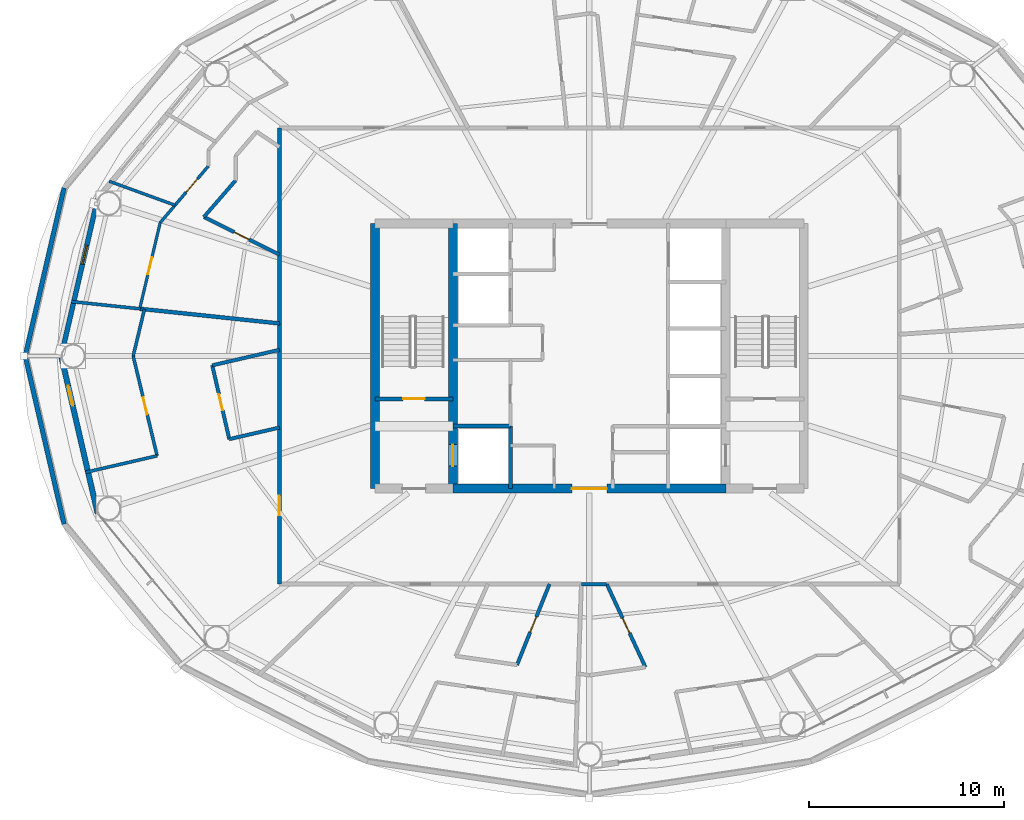
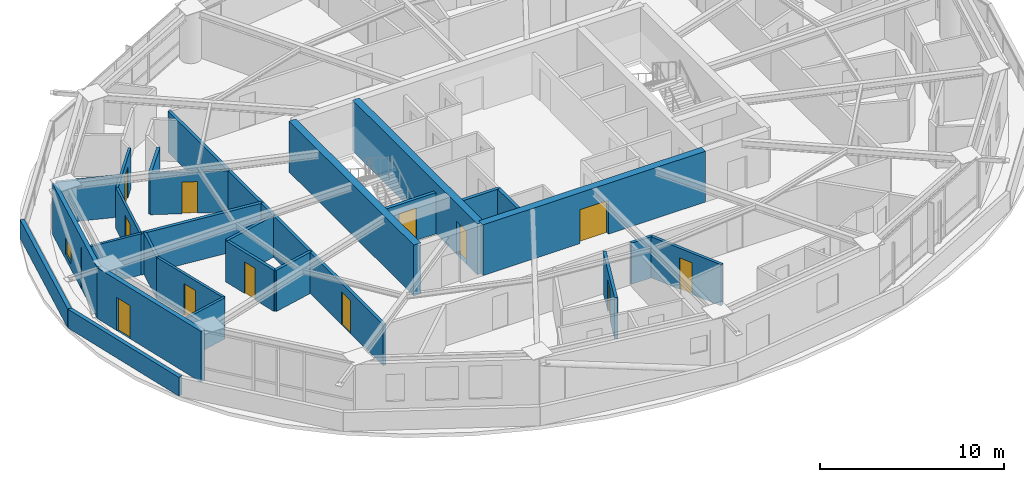
# One storey, part 20 of 27: 28 walls, 12 doors, 1 window, 13 openings.
"""IFC4 building model written with IfcOpenShell, lengths in metres."""

from ifc_helpers import new_model, si_unit, direction, frame, frame_2d, origin, place, context, subcontext, project, spatial, rectangle, extrude, material, layer, layer_set, type_object, element, fill, save


model = new_model("IFC4")

# Units and contexts
model_context = context("Model", 3, precision=1e-05, world=origin(), true_north=direction((0.0, 1.0)))
body_context = subcontext(model_context, "Body", "Model", "MODEL_VIEW")
ifc_project = project(units=[si_unit("LENGTHUNIT", "METRE"), si_unit("AREAUNIT", "SQUARE_METRE"), si_unit("VOLUMEUNIT", "CUBIC_METRE"), si_unit("PLANEANGLEUNIT", "RADIAN"), si_unit("MASSUNIT", "GRAM", prefix="KILO")], contexts=[model_context])

# Site, building, storey
site_placement = place(None, origin())
site = spatial("IfcSite", under=ifc_project, at=site_placement, CompositionType="ELEMENT")
building_placement = place(site_placement, origin())
building = spatial("IfcBuilding", under=site, at=building_placement, Name="Sarneth Arch Tower", CompositionType="ELEMENT")
storey_placement = place(building_placement, frame((0.0, 0.0, 150.60009765625)))
storey = spatial("IfcBuildingStorey", under=building, at=storey_placement, Name="L37", CompositionType="ELEMENT", Elevation=150.60009765625)

# Wall, opening, door
ifc_material_1 = material(Name="Concrete C50/60", Category="concrete")
ifc_layer_1 = layer(ifc_material_1, 0.449951171875)
ifc_layer_set_1 = layer_set([ifc_layer_1], Name="Concrete C50/60")
wall_type_1 = type_object("IfcWallType", Name="WALL-CORE-450", PredefinedType="SHEAR", material=ifc_layer_set_1)
wall_1_placement = place(storey_placement, frame((41.0, 35.199951171875, 0.0), z_axis=(0.0, 0.0, 1.0), x_axis=(1.0, 0.0, 0.0)))
wall_1 = element("IfcWall", 1, at=wall_1_placement, inside=storey, type_object=wall_type_1, Name="L37 Core shear wall S-M", PredefinedType="SHEAR", context=body_context, shape_type="SweptSolid", body=[
    extrude(rectangle(XDim=14.0, YDim=0.449951171875, at=frame_2d((7.0, 0.0))), origin(), (0.0, 0.0, 1.0), 3.3798828125),
])
opening_1_placement = place(wall_1_placement, frame((6.10009765625, 0.0, 0.0)))
opening_1 = element("IfcOpeningElement", 2, at=opening_1_placement, cuts=wall_1, Name="Opening FD-01", PredefinedType="OPENING", context=body_context, shape_type="SweptSolid", body=[
    extrude(rectangle(XDim=1.800048828125, YDim=2.25, at=frame_2d((0.89990234375, 1.125))), frame((0.0, 0.23486328125, 0.0), z_axis=(0.0, -1.0, 0.0), x_axis=(1.0, 0.0, 0.0)), (0.0, 0.0, 1.0), 0.469970703125),
])
ifc_material_2 = material(Name="Galvanised Steel S275 fire door set", Category="steel")
door_type_1 = type_object("IfcDoorType", Name="DR-FD90-1800", OperationType="DOUBLE_DOOR_SINGLE_SWING", PredefinedType="DOOR", material=ifc_material_2)
door_1_placement = place(opening_1_placement, origin())
door_1 = element("IfcDoor", 3, at=door_1_placement, inside=storey, type_object=door_type_1, Name="L37 Central lift lobby south door", OperationType="DOUBLE_DOOR_SINGLE_SWING", OverallHeight=2.25, OverallWidth=1.800048828125, PredefinedType="DOOR", context=body_context, shape_type="SweptSolid", body=[
    extrude(rectangle(XDim=1.800048828125, YDim=2.25, at=frame_2d((0.89990234375, 1.125))), frame((0.0, 0.02490234375, 0.0), z_axis=(0.0, -1.0, 0.0), x_axis=(1.0, 0.0, 0.0)), (0.0, 0.0, 1.0), 0.050048828125),
])
fill(opening_1, door_1)

# Wall
wall_2_placement = place(storey_placement, frame((37.0, 35.199951171875, 0.0), z_axis=(0.0, 0.0, 1.0), x_axis=(0.0, 1.0, 0.0)))
element("IfcWall", 4, at=wall_2_placement, inside=storey, type_object=wall_type_1, Name="L37 Core shear wall W", PredefinedType="SHEAR", context=body_context, shape_type="SweptSolid", body=[
    extrude(rectangle(XDim=13.60009765625, YDim=0.449951171875, at=frame_2d((6.800048828125, 0.0))), origin(), (0.0, 0.0, 1.0), 3.3798828125),
])

# Wall, opening, door
wall_3_placement = place(storey_placement, frame((41.0, 35.199951171875, 0.0), z_axis=(0.0, 0.0, 1.0), x_axis=(0.0, 1.0, 0.0)))
wall_3 = element("IfcWall", 5, at=wall_3_placement, inside=storey, type_object=wall_type_1, Name="L37 Core shear wall WEB-W", PredefinedType="SHEAR", context=body_context, shape_type="SweptSolid", body=[
    extrude(rectangle(XDim=13.60009765625, YDim=0.449951171875, at=frame_2d((6.800048828125, 0.0))), origin(), (0.0, 0.0, 1.0), 3.3798828125),
])
opening_2_placement = place(wall_3_placement, frame((1.14990234375, 0.0, 0.0)))
opening_2 = element("IfcOpeningElement", 6, at=opening_2_placement, cuts=wall_3, Name="Opening LD-1", PredefinedType="OPENING", context=body_context, shape_type="SweptSolid", body=[
    extrude(rectangle(XDim=1.10009765625, YDim=2.199951171875, at=frame_2d((0.550048828125, 1.10009765625))), frame((0.0, 0.23486328125, 0.0), z_axis=(0.0, -1.0, 0.0), x_axis=(1.0, 0.0, 0.0)), (0.0, 0.0, 1.0), 0.469970703125),
])
ifc_material_3 = material(Name="Brushed Stainless Steel 304 lift landing door", Category="steel")
door_type_2 = type_object("IfcDoorType", Name="DR-LIFT-SLIDE-1100", OperationType="SLIDING_TO_LEFT", PredefinedType="DOOR", material=ifc_material_3)
door_2_placement = place(opening_2_placement, origin())
door_2 = element("IfcDoor", 7, at=door_2_placement, inside=storey, type_object=door_type_2, Name="L37 Firefighting lift landing door FL-1", OperationType="SLIDING_TO_LEFT", OverallHeight=2.199951171875, OverallWidth=1.10009765625, PredefinedType="DOOR", context=body_context, shape_type="SweptSolid", body=[
    extrude(rectangle(XDim=1.10009765625, YDim=2.199951171875, at=frame_2d((0.550048828125, 1.10009765625))), frame((0.0, 0.02490234375, 0.0), z_axis=(0.0, -1.0, 0.0), x_axis=(1.0, 0.0, 0.0)), (0.0, 0.0, 1.0), 0.050048828125),
])
fill(opening_2, door_2)

ifc_material_4 = material(Name="Double steel-stud corridor fire wall", Category="steel")
ifc_layer_2 = layer(ifc_material_4, 0.18994140625)
ifc_layer_set_2 = layer_set([ifc_layer_2], Name="Double steel-stud corridor fire wall")
wall_type_2 = type_object("IfcWallType", Name="WALL-CORR-190", PredefinedType="PARTITIONING", material=ifc_layer_set_2)
wall_4_placement = place(storey_placement, frame((32.10009765625, 30.300048828125, 0.0), z_axis=(0.0, 0.0, 1.0), x_axis=(0.0, 1.0, 0.0)))
wall_4 = element("IfcWall", 8, at=wall_4_placement, inside=storey, type_object=wall_type_2, Name="L37 Interior partition W-L37-TP-015", PredefinedType="PARTITIONING", context=body_context, shape_type="SweptSolid", body=[
    extrude(rectangle(XDim=13.4033203125, YDim=0.18994140625, at=frame_2d((6.70166015625, 0.0))), origin(), (0.0, 0.0, 1.0), 2.739990234375),
])
opening_3_placement = place(wall_4_placement, frame((3.531005859375, 0.0, 0.0)))
opening_3 = element("IfcOpeningElement", 9, at=opening_3_placement, cuts=wall_4, Name="Opening FD-08", PredefinedType="OPENING", context=body_context, shape_type="SweptSolid", body=[
    extrude(rectangle(XDim=1.0, YDim=2.199951171875, at=frame_2d((0.5, 1.10009765625))), frame((0.0, 0.10498046875, 0.0), z_axis=(0.0, -1.0, 0.0), x_axis=(1.0, 0.0, 0.0)), (0.0, 0.0, 1.0), 0.2099609375),
])
ifc_material_5 = material(Name="Hardwood timber acoustic fire door", Category="wood")
door_type_3 = type_object("IfcDoorType", Name="DR-FD60-1000", OperationType="SINGLE_SWING_LEFT", PredefinedType="DOOR", material=ifc_material_5)
door_3_placement = place(opening_3_placement, origin())
door_3 = element("IfcDoor", 10, at=door_3_placement, inside=storey, type_object=door_type_3, Name="L37 Interior door DR-L37-U5-ENT", OperationType="SINGLE_SWING_RIGHT", OverallHeight=2.199951171875, OverallWidth=1.0, PredefinedType="DOOR", context=body_context, shape_type="SweptSolid", body=[
    extrude(rectangle(XDim=1.0, YDim=2.199951171875, at=frame_2d((0.5, 1.10009765625))), frame((0.0, 0.02490234375, 0.0), z_axis=(0.0, -1.0, 0.0), x_axis=(1.0, 0.0, 0.0)), (0.0, 0.0, 1.0), 0.050048828125),
])
fill(opening_3, door_3)

# Wall
wall_5_placement = place(storey_placement, frame((32.10009765625, 43.638916015625, 0.0), z_axis=(0.0, 0.0, 1.0), x_axis=(0.0, 1.0, 0.0)))
element("IfcWall", 11, at=wall_5_placement, inside=storey, type_object=wall_type_2, Name="L37 Interior partition W-L37-TP-013", PredefinedType="PARTITIONING", context=body_context, shape_type="SweptSolid", body=[
    extrude(rectangle(XDim=10.06103515625, YDim=0.18994140625, at=frame_2d((5.030517578125, 0.0))), origin(), (0.0, 0.0, 1.0), 2.739990234375),
])

# Wall, opening, window
ifc_material_6 = material(Name="Extruded terracotta rainscreen on Concrete C40/50 backing", Category="masonry")
ifc_layer_3 = layer(ifc_material_6, 0.25)
ifc_layer_set_3 = layer_set([ifc_layer_3], Name="Extruded terracotta rainscreen on Concrete C40/50 backing")
wall_type_3 = type_object("IfcWallType", Name="WALL-EXT-SPAND-250", PredefinedType="SOLIDWALL", material=ifc_layer_set_3)
wall_6_placement = place(storey_placement, frame((22.767578125, 50.06689453125, 0.0), z_axis=(0.0, 0.0, 1.0), x_axis=(-0.225473184558, -0.974249374157, 0.0)))
wall_6 = element("IfcWall", 12, at=wall_6_placement, inside=storey, type_object=wall_type_3, Name="L37 Terracotta perimeter wall 08", PredefinedType="SOLIDWALL", context=body_context, shape_type="SweptSolid", body=[
    extrude(rectangle(XDim=8.280029296875, YDim=0.25, at=frame_2d((4.14013671875, 0.0))), origin(), (0.0, 0.0, 1.0), 3.3798828125),
])
opening_4_placement = place(wall_6_placement, frame((2.447265625, 0.0, 0.35009765625)))
opening_4 = element("IfcOpeningElement", 13, at=opening_4_placement, cuts=wall_6, Name="Opening W-14", PredefinedType="OPENING", context=body_context, shape_type="SweptSolid", body=[
    extrude(rectangle(XDim=1.0, YDim=1.050048828125, at=frame_2d((0.5, 0.52490234375))), frame((0.0, 0.135009765625, 0.0), z_axis=(0.0, -1.0, 0.0), x_axis=(1.0, 0.0, 0.0)), (0.0, 0.0, 1.0), 0.27001953125),
])
ifc_material_7 = material(Name="Thermally broken Aluminium 6063-T6 and low-e laminated IGU", Category="aluminium")
window_type = type_object("IfcWindowType", Name="WIN-TWR-1000x1050", PartitioningType="SINGLE_PANEL", PredefinedType="WINDOW", material=ifc_material_7)
window_placement = place(opening_4_placement, origin())
window = element("IfcWindow", 14, at=window_placement, inside=storey, type_object=window_type, Name="L37 Dwelling bedroom window 02", OverallHeight=1.050048828125, OverallWidth=1.0, PartitioningType="SINGLE_PANEL", PredefinedType="WINDOW", context=body_context, shape_type="SweptSolid", body=[
    extrude(rectangle(XDim=1.0, YDim=1.050048828125, at=frame_2d((0.5, 0.52490234375))), frame((0.0, 0.030029296875, 0.0), z_axis=(0.0, -1.0, 0.0), x_axis=(1.0, 0.0, 0.0)), (0.0, 0.0, 1.0), 0.06005859375),
])
fill(opening_4, window)

# Wall, opening, door
ifc_material_8 = material(Name="Extruded terracotta rainscreen on Concrete C40/50 backing", Category="masonry")
ifc_layer_4 = layer(ifc_material_8, 0.280029296875)
ifc_layer_set_4 = layer_set([ifc_layer_4], Name="Extruded terracotta rainscreen on Concrete C40/50 backing")
wall_type_4 = type_object("IfcWallType", Name="WALL-EXT-TERRA-280", PredefinedType="SOLIDWALL", material=ifc_layer_set_4)
wall_7_placement = place(storey_placement, frame((20.900634765625, 42.0, 0.0), z_axis=(0.0, 0.0, 1.0), x_axis=(0.225473184558, -0.974249374157, 0.0)))
wall_7 = element("IfcWall", 15, at=wall_7_placement, inside=storey, type_object=wall_type_4, Name="L37 Terracotta perimeter wall 09", PredefinedType="SOLIDWALL", context=body_context, shape_type="SweptSolid", body=[
    extrude(rectangle(XDim=8.280029296875, YDim=0.280029296875, at=frame_2d((4.14013671875, 0.0))), origin(), (0.0, 0.0, 1.0), 3.3798828125),
])
opening_5_placement = place(wall_7_placement, frame((1.568115234375, 0.0, 0.0)))
opening_5 = element("IfcOpeningElement", 16, at=opening_5_placement, cuts=wall_7, Name="Opening BD-4", PredefinedType="OPENING", context=body_context, shape_type="SweptSolid", body=[
    extrude(rectangle(XDim=1.050048828125, YDim=2.199951171875, at=frame_2d((0.52490234375, 1.10009765625))), frame((0.0, 0.14990234375, 0.0), z_axis=(0.0, -1.0, 0.0), x_axis=(1.0, 0.0, 0.0)), (0.0, 0.0, 1.0), 0.300048828125),
])
ifc_material_9 = material(Name="Thermally broken Aluminium 6063-T6 and laminated safety glass", Category="aluminium")
door_type_4 = type_object("IfcDoorType", Name="DR-BALC-GLZ-1050", OperationType="SINGLE_SWING_RIGHT", PredefinedType="DOOR", material=ifc_material_9)
door_4_placement = place(opening_5_placement, origin())
door_4 = element("IfcDoor", 17, at=door_4_placement, inside=storey, type_object=door_type_4, Name="L37 Maintenance roof access door 09", OperationType="SINGLE_SWING_RIGHT", OverallHeight=2.199951171875, OverallWidth=1.050048828125, PredefinedType="DOOR", context=body_context, shape_type="SweptSolid", body=[
    extrude(rectangle(XDim=1.050048828125, YDim=2.199951171875, at=frame_2d((0.52490234375, 1.10009765625))), frame((0.0, 0.02490234375, 0.0), z_axis=(0.0, -1.0, 0.0), x_axis=(1.0, 0.0, 0.0)), (0.0, 0.0, 1.0), 0.050048828125),
])
fill(opening_5, door_4)

# Walls
ifc_material_10 = material(Name="Extruded terracotta rainscreen on Concrete C40/50 backing", Category="masonry")
ifc_layer_5 = layer(ifc_material_10, 0.239990234375)
ifc_layer_set_5 = layer_set([ifc_layer_5], Name="Extruded terracotta rainscreen on Concrete C40/50 backing")
wall_type_5 = type_object("IfcWallType", Name="WALL-PARAPET-240", PredefinedType="PARAPET", material=ifc_layer_set_5)
for number, where, z_axis, x_axis, name in (
    (18, (21.048095703125, 50.621826171875, 0.0), (0.0, 0.0, 1.0), (-0.225341034137, -0.974279948646, 0.0), "L37 Setback roof parapet 08"),
    (19, (19.053955078125, 42.0, 0.0), (0.0, 0.0, 1.0), (0.225341034137, -0.974279948646, 0.0), "L37 Setback roof parapet 09"),
):
    element("IfcWall", number, at=place(storey_placement, frame(where, z_axis=z_axis, x_axis=x_axis)), inside=storey, type_object=wall_type_5, Name=name, PredefinedType="PARAPET", context=body_context, shape_type="SweptSolid", body=[
        extrude(rectangle(XDim=8.849365234375, YDim=0.239990234375, at=frame_2d((4.4248046875, 0.0))), origin(), (0.0, 0.0, 1.0), 1.25),
    ])

# Wall, opening, door
ifc_material_11 = material(Name="Apartment internal stud partition", Category="gypsum")
ifc_layer_6 = layer(ifc_material_11, 0.139892578125)
ifc_layer_set_6 = layer_set([ifc_layer_6], Name="Apartment internal stud partition")
wall_type_6 = type_object("IfcWallType", Name="WALL-PART-140", PredefinedType="PARTITIONING", material=ifc_layer_set_6)
wall_8_placement = place(storey_placement, frame((24.9287109375, 44.4248046875, 0.0), z_axis=(0.0, 0.0, 1.0), x_axis=(0.23166656053, 0.972795253243, 0.0)))
wall_8 = element("IfcWall", 20, at=wall_8_placement, inside=storey, type_object=wall_type_6, Name="L37 Interior partition W-L37-TP-063", PredefinedType="PARTITIONING", context=body_context, shape_type="SweptSolid", body=[
    extrude(rectangle(XDim=4.541015625, YDim=0.139892578125, at=frame_2d((2.2705078125, 0.0))), origin(), (0.0, 0.0, 1.0), 2.739990234375),
])
opening_6_placement = place(wall_8_placement, frame((1.820556640625, 0.0, 0.0)))
opening_6 = element("IfcOpeningElement", 21, at=opening_6_placement, cuts=wall_8, Name="Opening ID-01", PredefinedType="OPENING", context=body_context, shape_type="SweptSolid", body=[
    extrude(rectangle(XDim=0.89990234375, YDim=2.10009765625, at=frame_2d((0.449951171875, 1.050048828125))), frame((0.0, 0.079833984375, 0.0), z_axis=(0.0, -1.0, 0.0), x_axis=(1.0, 0.0, 0.0)), (0.0, 0.0, 1.0), 0.159912109375),
])
ifc_material_12 = material(Name="Engineered hardwood flush door", Category="wood")
door_type_5 = type_object("IfcDoorType", Name="DR-INT-900", OperationType="SINGLE_SWING_LEFT", PredefinedType="DOOR", material=ifc_material_12)
door_5_placement = place(opening_6_placement, origin())
door_5 = element("IfcDoor", 22, at=door_5_placement, inside=storey, type_object=door_type_5, Name="L37 Interior door DR-L37-U4-BED2", OperationType="SINGLE_SWING_LEFT", OverallHeight=2.10009765625, OverallWidth=0.89990234375, PredefinedType="DOOR", context=body_context, shape_type="SweptSolid", body=[
    extrude(rectangle(XDim=0.89990234375, YDim=2.10009765625, at=frame_2d((0.449951171875, 1.050048828125))), frame((0.0, 0.02490234375, 0.0), z_axis=(0.0, -1.0, 0.0), x_axis=(1.0, 0.0, 0.0)), (0.0, 0.0, 1.0), 0.050048828125),
])
fill(opening_6, door_5)

# Wall
ifc_material_13 = material(Name="Acoustic gypsum stud partition", Category="gypsum")
ifc_layer_7 = layer(ifc_material_13, 0.14990234375)
ifc_layer_set_7 = layer_set([ifc_layer_7], Name="Acoustic gypsum stud partition")
wall_type_7 = type_object("IfcWallType", Name="WALL-PART-150", PredefinedType="PARTITIONING", material=ifc_layer_set_7)
wall_9_placement = place(storey_placement, frame((26.741943359375, 49.7373046875, 0.0), z_axis=(0.0, 0.0, 1.0), x_axis=(-0.939702146374, 0.341993970854, 0.0)))
element("IfcWall", 23, at=wall_9_placement, inside=storey, type_object=wall_type_7, Name="L37 Interior partition W-L37-TP-068", PredefinedType="PARTITIONING", context=body_context, shape_type="SweptSolid", body=[
    extrude(rectangle(XDim=3.59375, YDim=0.14990234375, at=frame_2d((1.796875, 0.0))), origin(), (0.0, 0.0, 1.0), 2.739990234375),
])

# Wall, opening, door
wall_10_placement = place(storey_placement, frame((28.449951171875, 51.744384765625, 0.0), z_axis=(0.0, 0.0, 1.0), x_axis=(-0.648090958091, -0.761562938988, 0.0)))
wall_10 = element("IfcWall", 24, at=wall_10_placement, inside=storey, type_object=wall_type_7, Name="L37 Interior partition W-L37-TP-062", PredefinedType="PARTITIONING", context=body_context, shape_type="SweptSolid", body=[
    extrude(rectangle(XDim=3.810302734375, YDim=0.14990234375, at=frame_2d((1.9052734375, 0.0))), origin(), (0.0, 0.0, 1.0), 2.739990234375),
])
opening_7_placement = place(wall_10_placement, frame((0.86767578125, 0.0, 0.0)))
opening_7 = element("IfcOpeningElement", 25, at=opening_7_placement, cuts=wall_10, Name="Opening ID-01", PredefinedType="OPENING", context=body_context, shape_type="SweptSolid", body=[
    extrude(rectangle(XDim=0.89990234375, YDim=2.10009765625, at=frame_2d((0.449951171875, 1.050048828125))), frame((0.0, 0.0849609375, 0.0), z_axis=(0.0, -1.0, 0.0), x_axis=(1.0, 0.0, 0.0)), (0.0, 0.0, 1.0), 0.169921875),
])
door_6_placement = place(opening_7_placement, origin())
door_6 = element("IfcDoor", 26, at=door_6_placement, inside=storey, type_object=door_type_5, Name="L37 Interior door DR-L37-U4-BED1", OperationType="SINGLE_SWING_RIGHT", OverallHeight=2.10009765625, OverallWidth=0.89990234375, PredefinedType="DOOR", context=body_context, shape_type="SweptSolid", body=[
    extrude(rectangle(XDim=0.89990234375, YDim=2.10009765625, at=frame_2d((0.449951171875, 1.050048828125))), frame((0.0, 0.02490234375, 0.0), z_axis=(0.0, -1.0, 0.0), x_axis=(1.0, 0.0, 0.0)), (0.0, 0.0, 1.0), 0.050048828125),
])
fill(opening_7, door_6)

ifc_material_14 = material(Name="Kitchen wet service chase wall", Category="gypsum")
ifc_layer_8 = layer(ifc_material_14, 0.159912109375)
ifc_layer_set_8 = layer_set([ifc_layer_8], Name="Kitchen wet service chase wall")
wall_type_8 = type_object("IfcWallType", Name="WALL-PLUMB-160", PredefinedType="PLUMBINGWALL", material=ifc_layer_set_8)
wall_11_placement = place(storey_placement, frame((24.59423828125, 42.0, 0.0), z_axis=(0.0, 0.0, 1.0), x_axis=(0.233087094169, -0.972455863539, 0.0)))
wall_11 = element("IfcWall", 27, at=wall_11_placement, inside=storey, type_object=wall_type_8, Name="L37 Interior partition W-L37-TP-074", PredefinedType="PLUMBINGWALL", context=body_context, shape_type="SweptSolid", body=[
    extrude(rectangle(XDim=5.265380859375, YDim=0.159912109375, at=frame_2d((2.6328125, 0.0))), origin(), (0.0, 0.0, 1.0), 2.739990234375),
])
opening_8_placement = place(wall_11_placement, frame((2.1826171875, 0.0, 0.0)))
opening_8 = element("IfcOpeningElement", 28, at=opening_8_placement, cuts=wall_11, Name="Opening ID-01", PredefinedType="OPENING", context=body_context, shape_type="SweptSolid", body=[
    extrude(rectangle(XDim=0.89990234375, YDim=2.10009765625, at=frame_2d((0.449951171875, 1.050048828125))), frame((0.0, 0.08984375, 0.0), z_axis=(0.0, -1.0, 0.0), x_axis=(1.0, 0.0, 0.0)), (0.0, 0.0, 1.0), 0.179931640625),
])
door_7_placement = place(opening_8_placement, origin())
door_7 = element("IfcDoor", 29, at=door_7_placement, inside=storey, type_object=door_type_5, Name="L37 Interior door DR-L37-U5-KIT", OperationType="SINGLE_SWING_LEFT", OverallHeight=2.10009765625, OverallWidth=0.89990234375, PredefinedType="DOOR", context=body_context, shape_type="SweptSolid", body=[
    extrude(rectangle(XDim=0.89990234375, YDim=2.10009765625, at=frame_2d((0.449951171875, 1.050048828125))), frame((0.0, 0.02490234375, 0.0), z_axis=(0.0, -1.0, 0.0), x_axis=(1.0, 0.0, 0.0)), (0.0, 0.0, 1.0), 0.050048828125),
])
fill(opening_8, door_7)

# Walls
wall_12_placement = place(storey_placement, frame((25.821533203125, 36.879638671875, 0.0), z_axis=(0.0, 0.0, 1.0), x_axis=(-0.97437258695, -0.22494012937, 0.0)))
element("IfcWall", 30, at=wall_12_placement, inside=storey, type_object=wall_type_8, Name="L37 Interior partition W-L37-TP-075", PredefinedType="PLUMBINGWALL", context=body_context, shape_type="SweptSolid", body=[
    extrude(rectangle(XDim=3.759765625, YDim=0.159912109375, at=frame_2d((1.8798828125, 0.0))), origin(), (0.0, 0.0, 1.0), 2.739990234375),
])
wall_13_placement = place(storey_placement, frame((21.4248046875, 44.793212890625, 0.0), z_axis=(0.0, 0.0, 1.0), x_axis=(0.994516359121, -0.104581123727, 0.0)))
element("IfcWall", 31, at=wall_13_placement, inside=storey, type_object=wall_type_8, Name="L37 Interior partition W-L37-TP-069", PredefinedType="PLUMBINGWALL", context=body_context, shape_type="SweptSolid", body=[
    extrude(rectangle(XDim=3.555419921875, YDim=0.159912109375, at=frame_2d((1.77783203125, 0.0))), origin(), (0.0, 0.0, 1.0), 2.739990234375),
])
wall_14_placement = place(storey_placement, frame((25.16943359375, 44.399658203125, 0.0), z_axis=(0.0, 0.0, 1.0), x_axis=(-0.233096038601, -0.972453719613, 0.0)))
element("IfcWall", 32, at=wall_14_placement, inside=storey, type_object=wall_type_8, Name="L37 Interior partition W-L37-TP-073", PredefinedType="PLUMBINGWALL", context=body_context, shape_type="SweptSolid", body=[
    extrude(rectangle(XDim=2.467529296875, YDim=0.159912109375, at=frame_2d((1.23388671875, 0.0))), origin(), (0.0, 0.0, 1.0), 2.739990234375),
])

# Wall, opening, door
ifc_material_15 = material(Name="Moisture-resistant plumbing chase wall", Category="gypsum")
ifc_layer_9 = layer(ifc_material_15, 0.179931640625)
ifc_layer_set_9 = layer_set([ifc_layer_9], Name="Moisture-resistant plumbing chase wall")
wall_type_9 = type_object("IfcWallType", Name="WALL-PLUMB-180", PredefinedType="PLUMBINGWALL", material=ifc_layer_set_9)
wall_15_placement = place(storey_placement, frame((48.89111328125, 30.300048828125, 0.0), z_axis=(0.0, 0.0, 1.0), x_axis=(0.421928127284, -0.906629282235, 0.0)))
wall_15 = element("IfcWall", 33, at=wall_15_placement, inside=storey, type_object=wall_type_9, Name="L37 Interior partition W-L37-TP-089", PredefinedType="PLUMBINGWALL", context=body_context, shape_type="SweptSolid", body=[
    extrude(rectangle(XDim=4.7060546875, YDim=0.179931640625, at=frame_2d((2.35302734375, 0.0))), origin(), (0.0, 0.0, 1.0), 2.739990234375),
])
opening_9_placement = place(wall_15_placement, frame((1.927978515625, 0.0, 0.0)))
opening_9 = element("IfcOpeningElement", 34, at=opening_9_placement, cuts=wall_15, Name="Opening ID-02", PredefinedType="OPENING", context=body_context, shape_type="SweptSolid", body=[
    extrude(rectangle(XDim=0.85009765625, YDim=2.10009765625, at=frame_2d((0.425048828125, 1.050048828125))), frame((0.0, 0.099853515625, 0.0), z_axis=(0.0, -1.0, 0.0), x_axis=(1.0, 0.0, 0.0)), (0.0, 0.0, 1.0), 0.199951171875),
])
ifc_material_16 = material(Name="Moisture-resistant bathroom timber door", Category="wood")
door_type_6 = type_object("IfcDoorType", Name="DR-INT-850", OperationType="SINGLE_SWING_RIGHT", PredefinedType="DOOR", material=ifc_material_16)
door_8_placement = place(opening_9_placement, origin())
door_8 = element("IfcDoor", 35, at=door_8_placement, inside=storey, type_object=door_type_6, Name="L37 Interior door DR-L37-U7-BATH", OperationType="SINGLE_SWING_LEFT", OverallHeight=2.10009765625, OverallWidth=0.85009765625, PredefinedType="DOOR", context=body_context, shape_type="SweptSolid", body=[
    extrude(rectangle(XDim=0.85009765625, YDim=2.10009765625, at=frame_2d((0.425048828125, 1.050048828125))), frame((0.0, 0.02490234375, 0.0), z_axis=(0.0, -1.0, 0.0), x_axis=(1.0, 0.0, 0.0)), (0.0, 0.0, 1.0), 0.050048828125),
])
fill(opening_9, door_8)

wall_16_placement = place(storey_placement, frame((44.288330078125, 26.153564453125, 0.0), z_axis=(0.0, 0.0, 1.0), x_axis=(0.373292277378, 0.927713789727, 0.0)))
wall_16 = element("IfcWall", 36, at=wall_16_placement, inside=storey, type_object=wall_type_9, Name="L37 Interior partition W-L37-TP-081", PredefinedType="PLUMBINGWALL", context=body_context, shape_type="SweptSolid", body=[
    extrude(rectangle(XDim=4.469482421875, YDim=0.179931640625, at=frame_2d((2.23486328125, 0.0))), origin(), (0.0, 0.0, 1.0), 2.739990234375),
])
opening_10_placement = place(wall_16_placement, frame((1.809814453125, 0.0, 0.0)))
opening_10 = element("IfcOpeningElement", 37, at=opening_10_placement, cuts=wall_16, Name="Opening ID-02", PredefinedType="OPENING", context=body_context, shape_type="SweptSolid", body=[
    extrude(rectangle(XDim=0.85009765625, YDim=2.10009765625, at=frame_2d((0.425048828125, 1.050048828125))), frame((0.0, 0.099853515625, 0.0), z_axis=(0.0, -1.0, 0.0), x_axis=(1.0, 0.0, 0.0)), (0.0, 0.0, 1.0), 0.199951171875),
])
door_9_placement = place(opening_10_placement, origin())
door_9 = element("IfcDoor", 38, at=door_9_placement, inside=storey, type_object=door_type_6, Name="L37 Interior door DR-L37-U6-BATH", OperationType="SINGLE_SWING_LEFT", OverallHeight=2.10009765625, OverallWidth=0.85009765625, PredefinedType="DOOR", context=body_context, shape_type="SweptSolid", body=[
    extrude(rectangle(XDim=0.85009765625, YDim=2.10009765625, at=frame_2d((0.425048828125, 1.050048828125))), frame((0.0, 0.02490234375, 0.0), z_axis=(0.0, -1.0, 0.0), x_axis=(1.0, 0.0, 0.0)), (0.0, 0.0, 1.0), 0.050048828125),
])
fill(opening_10, door_9)

wall_17_placement = place(storey_placement, frame((32.10009765625, 47.198974609375, 0.0), z_axis=(0.0, 0.0, 1.0), x_axis=(-0.89485499518, 0.446356962084, 0.0)))
wall_17 = element("IfcWall", 39, at=wall_17_placement, inside=storey, type_object=wall_type_9, Name="L37 Interior partition W-L37-TP-055", PredefinedType="PLUMBINGWALL", context=body_context, shape_type="SweptSolid", body=[
    extrude(rectangle(XDim=4.3330078125, YDim=0.179931640625, at=frame_2d((2.16650390625, 0.0))), origin(), (0.0, 0.0, 1.0), 2.739990234375),
])
opening_11_placement = place(wall_17_placement, frame((1.741455078125, 0.0, 0.0)))
opening_11 = element("IfcOpeningElement", 40, at=opening_11_placement, cuts=wall_17, Name="Opening ID-02", PredefinedType="OPENING", context=body_context, shape_type="SweptSolid", body=[
    extrude(rectangle(XDim=0.85009765625, YDim=2.10009765625, at=frame_2d((0.425048828125, 1.050048828125))), frame((0.0, 0.099853515625, 0.0), z_axis=(0.0, -1.0, 0.0), x_axis=(1.0, 0.0, 0.0)), (0.0, 0.0, 1.0), 0.199951171875),
])
door_10_placement = place(opening_11_placement, origin())
door_10 = element("IfcDoor", 41, at=door_10_placement, inside=storey, type_object=door_type_6, Name="L37 Interior door DR-L37-U4-BATH", OperationType="SINGLE_SWING_LEFT", OverallHeight=2.10009765625, OverallWidth=0.85009765625, PredefinedType="DOOR", context=body_context, shape_type="SweptSolid", body=[
    extrude(rectangle(XDim=0.85009765625, YDim=2.10009765625, at=frame_2d((0.425048828125, 1.050048828125))), frame((0.0, 0.02490234375, 0.0), z_axis=(0.0, -1.0, 0.0), x_axis=(1.0, 0.0, 0.0)), (0.0, 0.0, 1.0), 0.050048828125),
])
fill(opening_11, door_10)

wall_18_placement = place(storey_placement, frame((28.651611328125, 41.521728515625, 0.0), z_axis=(0.0, 0.0, 1.0), x_axis=(0.224891621851, -0.974383783948, 0.0)))
wall_18 = element("IfcWall", 42, at=wall_18_placement, inside=storey, type_object=wall_type_9, Name="L37 Interior partition W-L37-TP-071", PredefinedType="PLUMBINGWALL", context=body_context, shape_type="SweptSolid", body=[
    extrude(rectangle(XDim=3.886474609375, YDim=0.179931640625, at=frame_2d((1.943359375, 0.0))), origin(), (0.0, 0.0, 1.0), 2.739990234375),
])
opening_12_placement = place(wall_18_placement, frame((1.518310546875, 0.0, 0.0)))
opening_12 = element("IfcOpeningElement", 43, at=opening_12_placement, cuts=wall_18, Name="Opening ID-02", PredefinedType="OPENING", context=body_context, shape_type="SweptSolid", body=[
    extrude(rectangle(XDim=0.85009765625, YDim=2.10009765625, at=frame_2d((0.425048828125, 1.050048828125))), frame((0.0, 0.099853515625, 0.0), z_axis=(0.0, -1.0, 0.0), x_axis=(1.0, 0.0, 0.0)), (0.0, 0.0, 1.0), 0.199951171875),
])
door_11_placement = place(opening_12_placement, origin())
door_11 = element("IfcDoor", 44, at=door_11_placement, inside=storey, type_object=door_type_6, Name="L37 Interior door DR-L37-U5-BATH", OperationType="SINGLE_SWING_RIGHT", OverallHeight=2.10009765625, OverallWidth=0.85009765625, PredefinedType="DOOR", context=body_context, shape_type="SweptSolid", body=[
    extrude(rectangle(XDim=0.85009765625, YDim=2.10009765625, at=frame_2d((0.425048828125, 1.050048828125))), frame((0.0, 0.02490234375, 0.0), z_axis=(0.0, -1.0, 0.0), x_axis=(1.0, 0.0, 0.0)), (0.0, 0.0, 1.0), 0.050048828125),
])
fill(opening_12, door_11)

# Walls
wall_19_placement = place(storey_placement, frame((32.10009765625, 42.31787109375, 0.0), z_axis=(0.0, 0.0, 1.0), x_axis=(-0.974370264362, -0.224950189882, 0.0)))
element("IfcWall", 45, at=wall_19_placement, inside=storey, type_object=wall_type_9, Name="L37 Interior partition W-L37-TP-070", PredefinedType="PLUMBINGWALL", context=body_context, shape_type="SweptSolid", body=[
    extrude(rectangle(XDim=3.539306640625, YDim=0.179931640625, at=frame_2d((1.76953125, 0.0))), origin(), (0.0, 0.0, 1.0), 2.739990234375),
])
wall_20_placement = place(storey_placement, frame((29.525634765625, 37.73486328125, 0.0), z_axis=(0.0, 0.0, 1.0), x_axis=(0.974380293177, 0.224906745718, 0.0)))
element("IfcWall", 46, at=wall_20_placement, inside=storey, type_object=wall_type_9, Name="L37 Interior partition W-L37-TP-072", PredefinedType="PLUMBINGWALL", context=body_context, shape_type="SweptSolid", body=[
    extrude(rectangle(XDim=2.64208984375, YDim=0.179931640625, at=frame_2d((1.321044921875, 0.0))), origin(), (0.0, 0.0, 1.0), 2.739990234375),
])
wall_21_placement = place(storey_placement, frame((28.22265625, 49.133056640625, 0.0), z_axis=(0.0, 0.0, 1.0), x_axis=(0.654567839364, 0.756003269616, 0.0)))
element("IfcWall", 47, at=wall_21_placement, inside=storey, type_object=wall_type_9, Name="L37 Interior partition W-L37-TP-056", PredefinedType="PLUMBINGWALL", context=body_context, shape_type="SweptSolid", body=[
    extrude(rectangle(XDim=2.486328125, YDim=0.179931640625, at=frame_2d((1.2431640625, 0.0))), origin(), (0.0, 0.0, 1.0), 2.739990234375),
])
wall_22_placement = place(storey_placement, frame((47.59130859375, 30.300048828125, 0.0), z_axis=(0.0, 0.0, 1.0), x_axis=(1.0, 0.0, 0.0)))
element("IfcWall", 48, at=wall_22_placement, inside=storey, type_object=wall_type_9, Name="L37 Interior partition W-L37-TP-022", PredefinedType="PLUMBINGWALL", context=body_context, shape_type="SweptSolid", body=[
    extrude(rectangle(XDim=1.2998046875, YDim=0.179931640625, at=frame_2d((0.64990234375, 0.0))), origin(), (0.0, 0.0, 1.0), 2.739990234375),
])

# Wall, opening, door
ifc_material_17 = material(Name="Aerated concrete blockwork C25/30", Category="masonry")
ifc_layer_10 = layer(ifc_material_17, 0.199951171875)
ifc_layer_set_10 = layer_set([ifc_layer_10], Name="Aerated concrete blockwork C25/30")
wall_type_10 = type_object("IfcWallType", Name="WALL-SHAFT-200", PredefinedType="SOLIDWALL", material=ifc_layer_set_10)
wall_23_placement = place(storey_placement, frame((37.0, 39.800048828125, 0.0), z_axis=(0.0, 0.0, 1.0), x_axis=(1.0, 0.0, 0.0)))
wall_23 = element("IfcWall", 49, at=wall_23_placement, inside=storey, type_object=wall_type_10, Name="L37 Interior partition W-L37-ST1-S", PredefinedType="SOLIDWALL", context=body_context, shape_type="SweptSolid", body=[
    extrude(rectangle(XDim=4.0, YDim=0.199951171875, at=frame_2d((2.0, 0.0))), origin(), (0.0, 0.0, 1.0), 2.739990234375),
])
opening_13_placement = place(wall_23_placement, frame((1.449951171875, 0.0, 0.0)))
opening_13 = element("IfcOpeningElement", 50, at=opening_13_placement, cuts=wall_23, Name="Opening FD-03", PredefinedType="OPENING", context=body_context, shape_type="SweptSolid", body=[
    extrude(rectangle(XDim=1.10009765625, YDim=2.14990234375, at=frame_2d((0.550048828125, 1.074951171875))), frame((0.0, 0.10986328125, 0.0), z_axis=(0.0, -1.0, 0.0), x_axis=(1.0, 0.0, 0.0)), (0.0, 0.0, 1.0), 0.219970703125),
])
ifc_material_18 = material(Name="Galvanised Steel S275 fire door set", Category="steel")
door_type_7 = type_object("IfcDoorType", Name="DR-FD90-1100", OperationType="SINGLE_SWING_LEFT", PredefinedType="DOOR", material=ifc_material_18)
door_12_placement = place(opening_13_placement, origin())
door_12 = element("IfcDoor", 51, at=door_12_placement, inside=storey, type_object=door_type_7, Name="L37 Interior door DR-L37-ST1", OperationType="SINGLE_SWING_LEFT", OverallHeight=2.14990234375, OverallWidth=1.10009765625, PredefinedType="DOOR", context=body_context, shape_type="SweptSolid", body=[
    extrude(rectangle(XDim=1.10009765625, YDim=2.14990234375, at=frame_2d((0.550048828125, 1.074951171875))), frame((0.0, 0.02490234375, 0.0), z_axis=(0.0, -1.0, 0.0), x_axis=(1.0, 0.0, 0.0)), (0.0, 0.0, 1.0), 0.050048828125),
])
fill(opening_13, door_12)

# Walls
wall_24_placement = place(storey_placement, frame((43.949951171875, 35.199951171875, 0.0), z_axis=(0.0, 0.0, 1.0), x_axis=(0.0, 1.0, 0.0)))
element("IfcWall", 52, at=wall_24_placement, inside=storey, type_object=wall_type_10, Name="L37 Interior partition W-L37-FL1-E", PredefinedType="SOLIDWALL", context=body_context, shape_type="SweptSolid", body=[
    extrude(rectangle(XDim=3.199951171875, YDim=0.199951171875, at=frame_2d((1.60009765625, 0.0))), origin(), (0.0, 0.0, 1.0), 2.739990234375),
])
wall_25_placement = place(storey_placement, frame((41.0, 38.39990234375, 0.0), z_axis=(0.0, 0.0, 1.0), x_axis=(1.0, 0.0, 0.0)))
element("IfcWall", 53, at=wall_25_placement, inside=storey, type_object=wall_type_10, Name="L37 Interior partition W-L37-FL1-N", PredefinedType="SOLIDWALL", context=body_context, shape_type="SweptSolid", body=[
    extrude(rectangle(XDim=2.949951171875, YDim=0.199951171875, at=frame_2d((1.47509765625, 0.0))), origin(), (0.0, 0.0, 1.0), 2.739990234375),
])
ifc_material_19 = material(Name="Double steel-stud acoustic drywall", Category="steel")
ifc_layer_11 = layer(ifc_material_19, 0.199951171875)
ifc_layer_set_11 = layer_set([ifc_layer_11], Name="Double steel-stud acoustic drywall")
wall_type_11 = type_object("IfcWallType", Name="WALL-UNIT-200", PredefinedType="PARTITIONING", material=ifc_layer_set_11)
wall_26_placement = place(storey_placement, frame((32.10009765625, 43.671142578125, 0.0), z_axis=(0.0, 0.0, 1.0), x_axis=(-0.994522615629, 0.104521610217, 0.0)))
element("IfcWall", 54, at=wall_26_placement, inside=storey, type_object=wall_type_11, Name="L37 Interior partition W-L37-TP-065", PredefinedType="PARTITIONING", context=body_context, shape_type="SweptSolid", body=[
    extrude(rectangle(XDim=7.243408203125, YDim=0.199951171875, at=frame_2d((3.62158203125, 0.0))), origin(), (0.0, 0.0, 1.0), 2.739990234375),
])

save(model, "model.ifc")
